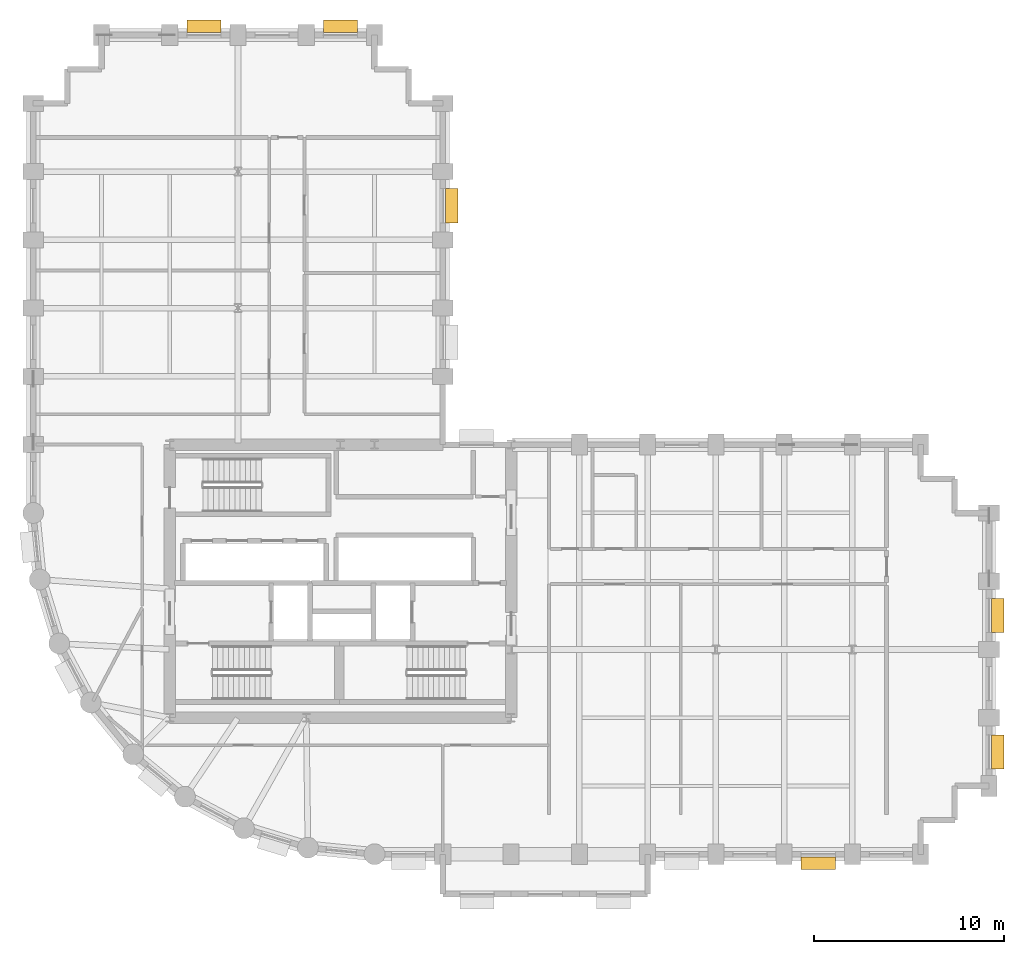
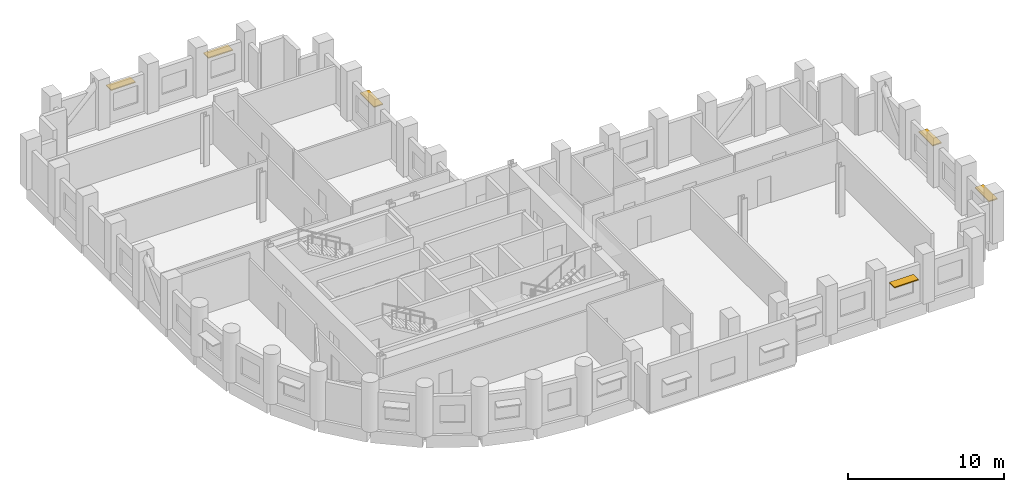
# One storey, part 10 of 10: 6 shading devices.
"""IFC4 building model written with IfcOpenShell, lengths in metres."""

from ifc_helpers import new_model, si_unit, direction, frame, origin, origin_2d, place, context, subcontext, project, spatial, rectangle, extrude, material, layer, layer_set, type_object, element, save


model = new_model("IFC4")

# Units and contexts
model_context = context("Model", 3, precision=1e-05, world=origin(), true_north=direction((0.0, 1.0)))
body_context = subcontext(model_context, "Body", "Model", "MODEL_VIEW")
ifc_project = project(units=[si_unit("LENGTHUNIT", "METRE"), si_unit("AREAUNIT", "SQUARE_METRE"), si_unit("VOLUMEUNIT", "CUBIC_METRE"), si_unit("PLANEANGLEUNIT", "RADIAN"), si_unit("MASSUNIT", "GRAM", prefix="KILO")], contexts=[model_context])

# Site, building, storey
site_placement = place(None, origin())
site = spatial("IfcSite", under=ifc_project, at=site_placement, CompositionType="ELEMENT")
building_placement = place(site_placement, origin())
building = spatial("IfcBuilding", under=site, at=building_placement, Name="Solnavia Interchange Tower", CompositionType="ELEMENT")
storey_placement = place(building_placement, frame((0.0, 0.0, 95.699951171875)))
storey = spatial("IfcBuildingStorey", under=building, at=storey_placement, Name="L23", CompositionType="ELEMENT", Elevation=95.699951171875)

# Shading devices
ifc_material = material(Name="Anodised Aluminium Sunshade", Category="aluminium")
ifc_layer = layer(ifc_material, 0.080078125)
ifc_layer_set = layer_set([ifc_layer], Name="Anodised Aluminium Sunshade")
shading_device_type = type_object("IfcShadingDeviceType", Name="Sunshade-Band-650", PredefinedType="SHUTTER", material=ifc_layer_set)
for number, where, z_axis, x_axis, name in (
    (1, (48.60009765625, 3.1298828125, 2.219970703125), (0.0, 0.0, 1.0), (-1.0, 0.0, 0.0), "SHD-L23-09 Horizontal sunshade band"),
    (2, (58.070068359375, 9.0, 2.219970703125), (0.0, 0.0, 1.0), (0.0, -1.0, 0.0), "SHD-L23-15 Horizontal sunshade band"),
    (3, (58.070068359375, 16.199951171875, 2.219970703125), (0.0, 0.0, 1.0), (0.0, -1.0, 0.0), "SHD-L23-17 Horizontal sunshade band"),
    (4, (29.27001953125, 37.800048828125, 2.219970703125), (0.0, 0.0, 1.0), (0.0, -1.0, 0.0), "SHD-L23-33 Horizontal sunshade band"),
    (5, (23.39990234375, 47.27001953125, 2.219970703125), (0.0, 0.0, 1.0), (1.0, 0.0, 0.0), "SHD-L23-39 Horizontal sunshade band"),
    (6, (16.199951171875, 47.27001953125, 2.219970703125), (0.0, 0.0, 1.0), (1.0, 0.0, 0.0), "SHD-L23-41 Horizontal sunshade band"),
):
    element("IfcShadingDevice", number, at=place(storey_placement, frame(where, z_axis=z_axis, x_axis=x_axis)), inside=storey, type_object=shading_device_type, Name=name, PredefinedType="SHUTTER", context=body_context, shape_type="SweptSolid", body=[
        extrude(rectangle(XDim=1.800048828125, YDim=0.64990234375, at=origin_2d()), origin(), (0.0, 0.0, 1.0), 0.080078125),
    ])

save(model, "model.ifc")
